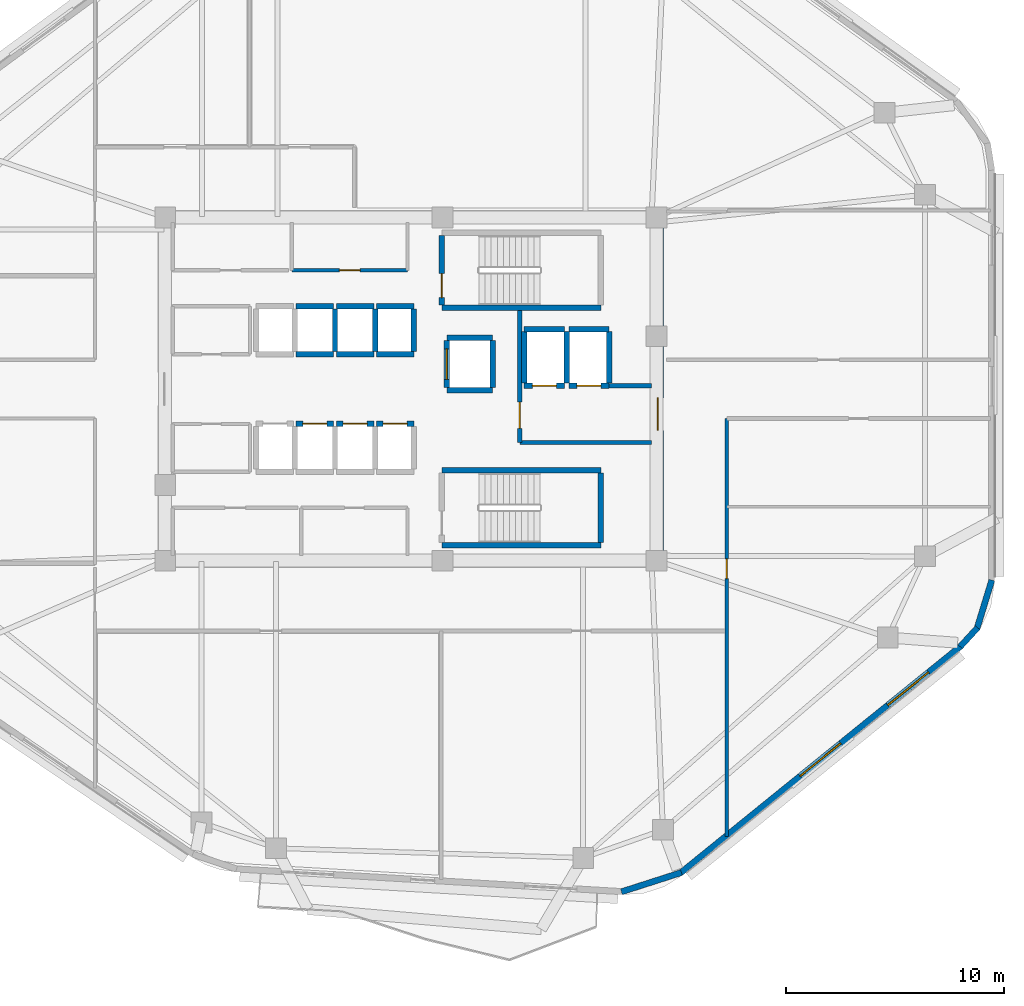
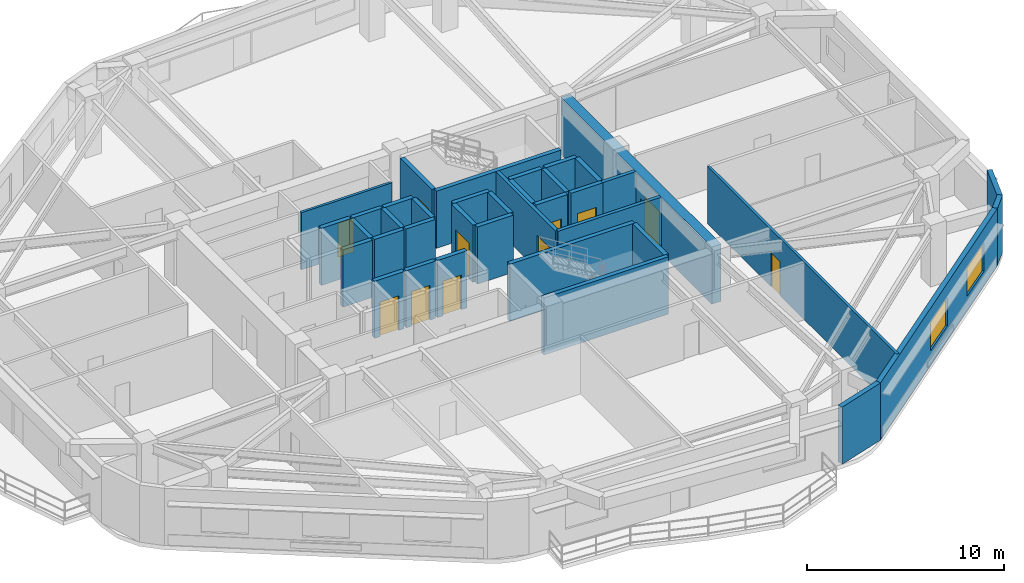
# One storey, part 4 of 9: 38 walls, 11 doors, 2 windows, 13 openings.
"""IFC4 building model written with IfcOpenShell, lengths in metres."""

from ifc_helpers import new_model, si_unit, direction, frame, frame_2d, origin, place, context, subcontext, project, spatial, rectangle, extrude, material, layer, layer_set, type_object, element, fill, save


model = new_model("IFC4")

# Units and contexts
model_context = context("Model", 3, precision=1e-05, world=origin(), true_north=direction((0.0, 1.0)))
body_context = subcontext(model_context, "Body", "Model", "MODEL_VIEW")
ifc_project = project(units=[si_unit("LENGTHUNIT", "METRE"), si_unit("AREAUNIT", "SQUARE_METRE"), si_unit("VOLUMEUNIT", "CUBIC_METRE"), si_unit("PLANEANGLEUNIT", "RADIAN"), si_unit("MASSUNIT", "GRAM", prefix="KILO")], contexts=[model_context])

# Site, building, storey
site_placement = place(None, origin())
site = spatial("IfcSite", under=ifc_project, at=site_placement, CompositionType="ELEMENT")
building_placement = place(site_placement, origin())
building = spatial("IfcBuilding", under=site, at=building_placement, Name="Zulverin Broadcast Headquarters", CompositionType="ELEMENT")
storey_placement = place(building_placement, frame((0.0, 0.0, 212.39990234375)))
storey = spatial("IfcBuildingStorey", under=building, at=storey_placement, Name="L54", CompositionType="ELEMENT", Elevation=212.39990234375)

# Wall, opening, door
ifc_material_1 = material(Name="Concrete C60/75", Category="concrete")
ifc_layer_1 = layer(ifc_material_1, 0.550048828125, Name="Concrete C60/75", Category="concrete")
ifc_layer_set_1 = layer_set([ifc_layer_1], Name="Concrete C60/75")
wall_type_1 = type_object("IfcWallType", Name="WL-CORE-550", PredefinedType="SHEAR", material=ifc_layer_set_1)
wall_1_placement = place(storey_placement, frame((48.324951171875, 17.550048828125, 0.0), z_axis=(0.0, 0.0, 1.0), x_axis=(0.0, 1.0, 0.0)))
wall_1 = element("IfcWall", 1, at=wall_1_placement, inside=storey, type_object=wall_type_1, Name="L54 Core East Shear Wall", PredefinedType="SHEAR", context=body_context, shape_type="SweptSolid", body=[
    extrude(rectangle(XDim=15.300048828125, YDim=0.550048828125, at=frame_2d((7.64990234375, 0.0))), origin(), (0.0, 0.0, 1.0), 3.5400390625),
])
opening_1_placement = place(wall_1_placement, frame((5.75, 0.0, 0.0)))
opening_1 = element("IfcOpeningElement", 2, at=opening_1_placement, cuts=wall_1, Name="Opening D-L54-CE1", PredefinedType="OPENING", context=body_context, shape_type="SweptSolid", body=[
    extrude(rectangle(XDim=1.5, YDim=2.14990234375, at=frame_2d((0.75, 1.074951171875))), frame((0.0, 0.284912109375, 0.0), z_axis=(0.0, -1.0, 0.0), x_axis=(1.0, 0.0, 0.0)), (0.0, 0.0, 1.0), 0.570068359375),
])
ifc_material_2 = material(Name="Fire-rated glazed steel frame", Category="steel")
door_type_1 = type_object("IfcDoorType", Name="DR-COR-1500", OperationType="DOUBLE_DOOR_SINGLE_SWING", PredefinedType="DOOR", material=ifc_material_2)
door_1_placement = place(opening_1_placement, origin())
door_1 = element("IfcDoor", 3, at=door_1_placement, inside=storey, type_object=door_type_1, Name="L54 Firefighting Lobby East Corridor Door", OperationType="DOUBLE_DOOR_SINGLE_SWING", OverallHeight=2.14990234375, OverallWidth=1.5, PredefinedType="DOOR", context=body_context, shape_type="SweptSolid", body=[
    extrude(rectangle(XDim=1.5, YDim=2.14990234375, at=frame_2d((0.75, 1.074951171875))), frame((0.0, 0.02490234375, 0.0), z_axis=(0.0, -1.0, 0.0), x_axis=(1.0, 0.0, 0.0)), (0.0, 0.0, 1.0), 0.050048828125),
])
fill(opening_1, door_1)

# Wall, openings, windows
ifc_material_3 = material(Name="Insulated pale-metal clad concrete spandrel C40/50", Category="concrete")
ifc_layer_2 = layer(ifc_material_3, 0.280029296875, Name="Insulated pale-metal clad concrete spandrel C40/50", Category="concrete")
ifc_layer_set_2 = layer_set([ifc_layer_2], Name="Insulated pale-metal clad concrete spandrel C40/50")
wall_type_2 = type_object("IfcWallType", Name="WL-EXT-280", PredefinedType="STANDARD", material=ifc_layer_set_2)
wall_2_placement = place(storey_placement, frame((49.372314453125, 2.98388671875, 0.0), z_axis=(0.0, 0.0, 1.0), x_axis=(0.777278899851, 0.629156190343, 0.0)))
wall_2 = element("IfcWall", 4, at=wall_2_placement, inside=storey, type_object=wall_type_2, Name="L54 Pale-Metal Clad Spandrel Wall 2", PredefinedType="STANDARD", context=body_context, shape_type="SweptSolid", body=[
    extrude(rectangle(XDim=16.5400390625, YDim=0.280029296875, at=frame_2d((8.27001953125, 0.0))), origin(), (0.0, 0.0, 1.0), 3.5400390625),
])
opening_2_placement = place(wall_2_placement, frame((7.070068359375, 0.0, 0.89990234375)))
opening_2 = element("IfcOpeningElement", 5, at=opening_2_placement, cuts=wall_2, Name="Opening W-L54-E21", PredefinedType="OPENING", context=body_context, shape_type="SweptSolid", body=[
    extrude(rectangle(XDim=2.39990234375, YDim=1.75, at=frame_2d((1.199951171875, 0.875))), frame((0.0, 0.14990234375, 0.0), z_axis=(0.0, -1.0, 0.0), x_axis=(1.0, 0.0, 0.0)), (0.0, 0.0, 1.0), 0.300048828125),
])
opening_3_placement = place(wall_2_placement, frame((12.25, 0.0, 0.89990234375)))
opening_3 = element("IfcOpeningElement", 6, at=opening_3_placement, cuts=wall_2, Name="Opening W-L54-E22", PredefinedType="OPENING", context=body_context, shape_type="SweptSolid", body=[
    extrude(rectangle(XDim=2.39990234375, YDim=1.75, at=frame_2d((1.199951171875, 0.875))), frame((0.0, 0.14990234375, 0.0), z_axis=(0.0, -1.0, 0.0), x_axis=(1.0, 0.0, 0.0)), (0.0, 0.0, 1.0), 0.300048828125),
])
ifc_material_4 = material(Name="Pale anodized aluminium frame with solar-control low-E double glazing", Category="aluminium")
window_type = type_object("IfcWindowType", Name="WIN-RIB-2400", PartitioningType="SINGLE_PANEL", PredefinedType="WINDOW", material=ifc_material_4)
window_1_placement = place(opening_2_placement, origin())
window_1 = element("IfcWindow", 7, at=window_1_placement, inside=storey, type_object=window_type, Name="L54 Ribbon Glazing Window 2 1", OverallHeight=1.75, OverallWidth=2.39990234375, PartitioningType="SINGLE_PANEL", PredefinedType="WINDOW", context=body_context, shape_type="SweptSolid", body=[
    extrude(rectangle(XDim=2.39990234375, YDim=1.75, at=frame_2d((1.199951171875, 0.875))), frame((0.0, 0.030029296875, 0.0), z_axis=(0.0, -1.0, 0.0), x_axis=(1.0, 0.0, 0.0)), (0.0, 0.0, 1.0), 0.06005859375),
])
fill(opening_2, window_1)
window_2_placement = place(opening_3_placement, origin())
window_2 = element("IfcWindow", 8, at=window_2_placement, inside=storey, type_object=window_type, Name="L54 Ribbon Glazing Window 2 2", OverallHeight=1.75, OverallWidth=2.39990234375, PartitioningType="SINGLE_PANEL", PredefinedType="WINDOW", context=body_context, shape_type="SweptSolid", body=[
    extrude(rectangle(XDim=2.39990234375, YDim=1.75, at=frame_2d((1.199951171875, 0.875))), frame((0.0, 0.030029296875, 0.0), z_axis=(0.0, -1.0, 0.0), x_axis=(1.0, 0.0, 0.0)), (0.0, 0.0, 1.0), 0.06005859375),
])
fill(opening_3, window_2)

# Walls
wall_3_placement = place(storey_placement, frame((46.666259765625, 2.124267578125, 0.0), z_axis=(0.0, 0.0, 1.0), x_axis=(0.952065470694, 0.305894327363, 0.0)))
element("IfcWall", 9, at=wall_3_placement, inside=storey, type_object=wall_type_2, Name="L54 Wind-Shaped Corner Spandrel Wall 1-1", PredefinedType="STANDARD", context=body_context, shape_type="SweptSolid", body=[
    extrude(rectangle(XDim=2.889892578125, YDim=0.280029296875, at=frame_2d((1.44482421875, 0.0))), origin(), (0.0, 0.0, 1.0), 3.5400390625),
])
wall_4_placement = place(storey_placement, frame((62.21337890625, 13.3759765625, 0.0), z_axis=(0.0, 0.0, 1.0), x_axis=(0.675790054291, 0.737094161232, 0.0)))
element("IfcWall", 10, at=wall_4_placement, inside=storey, type_object=wall_type_2, Name="L54 Wind-Shaped Corner Spandrel Wall 2-1", PredefinedType="STANDARD", context=body_context, shape_type="SweptSolid", body=[
    extrude(rectangle(XDim=1.182861328125, YDim=0.280029296875, at=frame_2d((0.59130859375, 0.0))), origin(), (0.0, 0.0, 1.0), 3.5400390625),
])
wall_5_placement = place(storey_placement, frame((62.98193359375, 14.194091796875, 0.0), z_axis=(0.0, 0.0, 1.0), x_axis=(0.292398811023, 0.956296468315, 0.0)))
element("IfcWall", 11, at=wall_5_placement, inside=storey, type_object=wall_type_2, Name="L54 Wind-Shaped Corner Spandrel Wall 2-2", PredefinedType="STANDARD", context=body_context, shape_type="SweptSolid", body=[
    extrude(rectangle(XDim=2.339599609375, YDim=0.280029296875, at=frame_2d((1.169921875, 0.0))), origin(), (0.0, 0.0, 1.0), 3.5400390625),
])

# Wall, opening, door
ifc_material_5 = material(Name="Concrete C40/50", Category="concrete")
ifc_layer_3 = layer(ifc_material_5, 0.199951171875, Name="Concrete C40/50", Category="concrete")
ifc_layer_set_3 = layer_set([ifc_layer_3], Name="Concrete C40/50")
wall_type_3 = type_object("IfcWallType", Name="WL-FFL-200", PredefinedType="SOLIDWALL", material=ifc_layer_set_3)
wall_6_placement = place(storey_placement, frame((42.0, 22.75, 0.0), z_axis=(0.0, 0.0, 1.0), x_axis=(0.0, 1.0, 0.0)))
wall_6 = element("IfcWall", 12, at=wall_6_placement, inside=storey, type_object=wall_type_3, Name="L54 Firefighting Lift Lobby West Wall", PredefinedType="SOLIDWALL", context=body_context, shape_type="SweptSolid", body=[
    extrude(rectangle(XDim=6.050048828125, YDim=0.199951171875, at=frame_2d((3.02490234375, 0.0))), origin(), (0.0, 0.0, 1.0), 3.5400390625),
])
opening_4_placement = place(wall_6_placement, frame((0.64990234375, 0.0, 0.0)))
opening_4 = element("IfcOpeningElement", 13, at=opening_4_placement, cuts=wall_6, Name="Opening D-L54-FFLW", PredefinedType="OPENING", context=body_context, shape_type="SweptSolid", body=[
    extrude(rectangle(XDim=1.199951171875, YDim=2.14990234375, at=frame_2d((0.60009765625, 1.074951171875))), frame((0.0, 0.10986328125, 0.0), z_axis=(0.0, -1.0, 0.0), x_axis=(1.0, 0.0, 0.0)), (0.0, 0.0, 1.0), 0.219970703125),
])
ifc_material_6 = material(Name="Fire-rated steel leaf and frame", Category="steel")
door_type_2 = type_object("IfcDoorType", Name="DR-FFL-1200", OperationType="SINGLE_SWING_RIGHT", PredefinedType="DOOR", material=ifc_material_6)
door_2_placement = place(opening_4_placement, origin())
door_2 = element("IfcDoor", 14, at=door_2_placement, inside=storey, type_object=door_type_2, Name="L54 Firefighting Lift Lobby Door", OperationType="SINGLE_SWING_RIGHT", OverallHeight=2.14990234375, OverallWidth=1.199951171875, PredefinedType="DOOR", context=body_context, shape_type="SweptSolid", body=[
    extrude(rectangle(XDim=1.199951171875, YDim=2.14990234375, at=frame_2d((0.60009765625, 1.074951171875))), frame((0.0, 0.02490234375, 0.0), z_axis=(0.0, -1.0, 0.0), x_axis=(1.0, 0.0, 0.0)), (0.0, 0.0, 1.0), 0.050048828125),
])
fill(opening_4, door_2)

# Walls
wall_7_placement = place(storey_placement, frame((42.0, 22.75, 0.0), z_axis=(0.0, 0.0, 1.0), x_axis=(1.0, 0.0, 0.0)))
element("IfcWall", 15, at=wall_7_placement, inside=storey, type_object=wall_type_3, Name="L54 Firefighting Lift Lobby South Wall", PredefinedType="SOLIDWALL", context=body_context, shape_type="SweptSolid", body=[
    extrude(rectangle(XDim=6.050048828125, YDim=0.199951171875, at=frame_2d((3.02490234375, 0.0))), origin(), (0.0, 0.0, 1.0), 3.5400390625),
])
wall_8_placement = place(storey_placement, frame((46.10009765625, 25.35009765625, 0.0), z_axis=(0.0, 0.0, 1.0), x_axis=(1.0, 0.0, 0.0)))
element("IfcWall", 16, at=wall_8_placement, inside=storey, type_object=wall_type_3, Name="L54 Firefighting Lift Lobby North Wall", PredefinedType="SOLIDWALL", context=body_context, shape_type="SweptSolid", body=[
    extrude(rectangle(XDim=1.949951171875, YDim=0.199951171875, at=frame_2d((0.97509765625, 0.0))), origin(), (0.0, 0.0, 1.0), 3.5400390625),
])

# Wall, opening, door
ifc_material_7 = material(Name="Fire-rated gypsum stud partition", Category="gypsum")
ifc_layer_4 = layer(ifc_material_7, 0.14990234375, Name="Fire-rated gypsum stud partition", Category="gypsum")
ifc_layer_set_4 = layer_set([ifc_layer_4], Name="Fire-rated gypsum stud partition")
wall_type_4 = type_object("IfcWallType", Name="WL-PART-150", PredefinedType="PARTITIONING", material=ifc_layer_set_4)
wall_9_placement = place(storey_placement, frame((31.5400390625, 30.64990234375, 0.0), z_axis=(0.0, 0.0, 1.0), x_axis=(1.0, 0.0, 0.0)))
wall_9 = element("IfcWall", 17, at=wall_9_placement, inside=storey, type_object=wall_type_4, Name="L54 Core Accessible WC Front Wall", PredefinedType="PARTITIONING", context=body_context, shape_type="SweptSolid", body=[
    extrude(rectangle(XDim=5.31005859375, YDim=0.14990234375, at=frame_2d((2.655029296875, 0.0))), origin(), (0.0, 0.0, 1.0), 3.5400390625),
])
opening_5_placement = place(wall_9_placement, frame((2.179931640625, 0.0, 0.0)))
opening_5 = element("IfcOpeningElement", 18, at=opening_5_placement, cuts=wall_9, Name="Opening D-L54-NC2", PredefinedType="OPENING", context=body_context, shape_type="SweptSolid", body=[
    extrude(rectangle(XDim=0.949951171875, YDim=2.10009765625, at=frame_2d((0.47509765625, 1.050048828125))), frame((0.0, 0.0849609375, 0.0), z_axis=(0.0, -1.0, 0.0), x_axis=(1.0, 0.0, 0.0)), (0.0, 0.0, 1.0), 0.169921875),
])
ifc_material_8 = material(Name="Fire-rated moisture-resistant laminate leaf", Category="wood")
door_type_3 = type_object("IfcDoorType", Name="DR-WC-950", OperationType="SINGLE_SWING_LEFT", PredefinedType="DOOR", material=ifc_material_8)
door_3_placement = place(opening_5_placement, origin())
door_3 = element("IfcDoor", 19, at=door_3_placement, inside=storey, type_object=door_type_3, Name="L54 Accessible WC Door", OperationType="SINGLE_SWING_RIGHT", OverallHeight=2.10009765625, OverallWidth=0.949951171875, PredefinedType="DOOR", context=body_context, shape_type="SweptSolid", body=[
    extrude(rectangle(XDim=0.949951171875, YDim=2.10009765625, at=frame_2d((0.47509765625, 1.050048828125))), frame((0.0, 0.02490234375, 0.0), z_axis=(0.0, -1.0, 0.0), x_axis=(1.0, 0.0, 0.0)), (0.0, 0.0, 1.0), 0.050048828125),
])
fill(opening_5, door_3)

wall_10_placement = place(storey_placement, frame((51.5, 4.666015625, 0.0), z_axis=(0.0, 0.0, 1.0), x_axis=(0.0, 1.0, 0.0)))
wall_10 = element("IfcWall", 20, at=wall_10_placement, inside=storey, type_object=wall_type_4, Name="L54 Gallery Partition Wall CG-01", PredefinedType="PARTITIONING", context=body_context, shape_type="SweptSolid", body=[
    extrude(rectangle(XDim=19.18408203125, YDim=0.14990234375, at=frame_2d((9.592041015625, 0.0))), origin(), (0.0, 0.0, 1.0), 3.5400390625),
])
opening_6_placement = place(wall_10_placement, frame((11.833984375, 0.0, 0.0)))
opening_6 = element("IfcOpeningElement", 21, at=opening_6_placement, cuts=wall_10, Name="Opening D-L54-09", PredefinedType="OPENING", context=body_context, shape_type="SweptSolid", body=[
    extrude(rectangle(XDim=0.89990234375, YDim=2.10009765625, at=frame_2d((0.449951171875, 1.050048828125))), frame((0.0, 0.0849609375, 0.0), z_axis=(0.0, -1.0, 0.0), x_axis=(1.0, 0.0, 0.0)), (0.0, 0.0, 1.0), 0.169921875),
])
ifc_material_9 = material(Name="Fire-rated hardwood veneer timber leaf", Category="wood")
door_type_4 = type_object("IfcDoorType", Name="DR-ROOM-900", OperationType="SINGLE_SWING_RIGHT", PredefinedType="DOOR", material=ifc_material_9)
door_4_placement = place(opening_6_placement, origin())
door_4 = element("IfcDoor", 22, at=door_4_placement, inside=storey, type_object=door_type_4, Name="L54 Tea Pantry Door", OperationType="SINGLE_SWING_LEFT", OverallHeight=2.10009765625, OverallWidth=0.89990234375, PredefinedType="DOOR", context=body_context, shape_type="SweptSolid", body=[
    extrude(rectangle(XDim=0.89990234375, YDim=2.10009765625, at=frame_2d((0.449951171875, 1.050048828125))), frame((0.0, 0.02490234375, 0.0), z_axis=(0.0, -1.0, 0.0), x_axis=(1.0, 0.0, 0.0)), (0.0, 0.0, 1.0), 0.050048828125),
])
fill(opening_6, door_4)

# Wall
ifc_material_10 = material(Name="Concrete C50/60", Category="concrete")
ifc_layer_5 = layer(ifc_material_10, 0.25, Name="Concrete C50/60", Category="concrete")
ifc_layer_set_5 = layer_set([ifc_layer_5], Name="Concrete C50/60")
wall_type_5 = type_object("IfcWallType", Name="WL-SHAFT-250", PredefinedType="SHEAR", material=ifc_layer_set_5)
wall_11_placement = place(storey_placement, frame((38.425048828125, 28.925048828125, 0.0), z_axis=(0.0, 0.0, 1.0), x_axis=(1.0, 0.0, 0.0)))
element("IfcWall", 23, at=wall_11_placement, inside=storey, type_object=wall_type_5, Name="L54 ST-1 Enclosure Wall S", PredefinedType="SHEAR", context=body_context, shape_type="SweptSolid", body=[
    extrude(rectangle(XDim=7.300048828125, YDim=0.25, at=frame_2d((3.64990234375, 0.0))), origin(), (0.0, 0.0, 1.0), 3.5400390625),
])

# Wall, opening, door
wall_12_placement = place(storey_placement, frame((38.425048828125, 29.050048828125, 0.0), z_axis=(0.0, 0.0, 1.0), x_axis=(0.0, 1.0, 0.0)))
wall_12 = element("IfcWall", 24, at=wall_12_placement, inside=storey, type_object=wall_type_5, Name="L54 ST-1 Enclosure Wall W", PredefinedType="SHEAR", context=body_context, shape_type="SweptSolid", body=[
    extrude(rectangle(XDim=3.199951171875, YDim=0.25, at=frame_2d((1.60009765625, 0.0))), origin(), (0.0, 0.0, 1.0), 3.5400390625),
])
opening_7_placement = place(wall_12_placement, frame((0.35009765625, 0.0, 0.0)))
opening_7 = element("IfcOpeningElement", 25, at=opening_7_placement, cuts=wall_12, Name="Opening D-L54-ST-1", PredefinedType="OPENING", context=body_context, shape_type="SweptSolid", body=[
    extrude(rectangle(XDim=1.10009765625, YDim=2.14990234375, at=frame_2d((0.550048828125, 1.074951171875))), frame((0.0, 0.135009765625, 0.0), z_axis=(0.0, -1.0, 0.0), x_axis=(1.0, 0.0, 0.0)), (0.0, 0.0, 1.0), 0.27001953125),
])
door_type_5 = type_object("IfcDoorType", Name="DR-STAIR-1100", OperationType="SINGLE_SWING_LEFT", PredefinedType="DOOR", material=ifc_material_6)
door_5_placement = place(opening_7_placement, origin())
door_5 = element("IfcDoor", 26, at=door_5_placement, inside=storey, type_object=door_type_5, Name="L54 Exit Stair ST-1 Fire Door", OperationType="SINGLE_SWING_LEFT", OverallHeight=2.14990234375, OverallWidth=1.10009765625, PredefinedType="DOOR", context=body_context, shape_type="SweptSolid", body=[
    extrude(rectangle(XDim=1.10009765625, YDim=2.14990234375, at=frame_2d((0.550048828125, 1.074951171875))), frame((0.0, 0.02490234375, 0.0), z_axis=(0.0, -1.0, 0.0), x_axis=(1.0, 0.0, 0.0)), (0.0, 0.0, 1.0), 0.050048828125),
])
fill(opening_7, door_5)

# Walls
for number, where, z_axis, x_axis, name in (
    (27, (38.425048828125, 18.02490234375, 0.0), (0.0, 0.0, 1.0), (1.0, 0.0, 0.0), "L54 ST-2 Enclosure Wall S"),
    (28, (38.425048828125, 21.47509765625, 0.0), (0.0, 0.0, 1.0), (1.0, 0.0, 0.0), "L54 ST-2 Enclosure Wall N"),
):
    element("IfcWall", number, at=place(storey_placement, frame(where, z_axis=z_axis, x_axis=x_axis)), inside=storey, type_object=wall_type_5, Name=name, PredefinedType="SHEAR", context=body_context, shape_type="SweptSolid", body=[
        extrude(rectangle(XDim=7.300048828125, YDim=0.25, at=frame_2d((3.64990234375, 0.0))), origin(), (0.0, 0.0, 1.0), 3.5400390625),
    ])
wall_13_placement = place(storey_placement, frame((45.72509765625, 18.14990234375, 0.0), z_axis=(0.0, 0.0, 1.0), x_axis=(0.0, 1.0, 0.0)))
element("IfcWall", 29, at=wall_13_placement, inside=storey, type_object=wall_type_5, Name="L54 ST-2 Enclosure Wall E", PredefinedType="SHEAR", context=body_context, shape_type="SweptSolid", body=[
    extrude(rectangle(XDim=3.2001953125, YDim=0.25, at=frame_2d((1.60009765625, 0.0))), origin(), (0.0, 0.0, 1.0), 3.5400390625),
])

# Wall, opening, door
wall_14_placement = place(storey_placement, frame((31.739990234375, 23.60009765625, 0.0), z_axis=(0.0, 0.0, 1.0), x_axis=(1.0, 0.0, 0.0)))
wall_14 = element("IfcWall", 30, at=wall_14_placement, inside=storey, type_object=wall_type_5, Name="L54 Lift PL-M2 Shaft Wall N", PredefinedType="SHEAR", context=body_context, shape_type="SweptSolid", body=[
    extrude(rectangle(XDim=1.719970703125, YDim=0.25, at=frame_2d((0.85986328125, 0.0))), origin(), (0.0, 0.0, 1.0), 3.5400390625),
])
opening_8_placement = place(wall_14_placement, frame((0.31005859375, 0.0, 0.0)))
opening_8 = element("IfcOpeningElement", 31, at=opening_8_placement, cuts=wall_14, Name="Opening LD-PL-M2-L54", PredefinedType="OPENING", context=body_context, shape_type="SweptSolid", body=[
    extrude(rectangle(XDim=1.10009765625, YDim=2.14990234375, at=frame_2d((0.550048828125, 1.074951171875))), frame((0.0, 0.135009765625, 0.0), z_axis=(0.0, -1.0, 0.0), x_axis=(1.0, 0.0, 0.0)), (0.0, 0.0, 1.0), 0.27001953125),
])
ifc_material_11 = material(Name="Brushed stainless steel landing", Category="steel")
door_type_6 = type_object("IfcDoorType", Name="LD-PASS-1100", OperationType="DOUBLE_DOOR_SLIDING", PredefinedType="DOOR", material=ifc_material_11)
door_6_placement = place(opening_8_placement, origin())
door_6 = element("IfcDoor", 32, at=door_6_placement, inside=storey, type_object=door_type_6, Name="L54 Lift PL-M2 Sliding Landing Door", OperationType="DOUBLE_DOOR_SLIDING", OverallHeight=2.14990234375, OverallWidth=1.10009765625, PredefinedType="DOOR", context=body_context, shape_type="SweptSolid", body=[
    extrude(rectangle(XDim=1.10009765625, YDim=2.14990234375, at=frame_2d((0.550048828125, 1.074951171875))), frame((0.0, 0.02490234375, 0.0), z_axis=(0.0, -1.0, 0.0), x_axis=(1.0, 0.0, 0.0)), (0.0, 0.0, 1.0), 0.050048828125),
])
fill(opening_8, door_6)

wall_15_placement = place(storey_placement, frame((33.580078125, 23.60009765625, 0.0), z_axis=(0.0, 0.0, 1.0), x_axis=(1.0, 0.0, 0.0)))
wall_15 = element("IfcWall", 33, at=wall_15_placement, inside=storey, type_object=wall_type_5, Name="L54 Lift PL-M3 Shaft Wall N", PredefinedType="SHEAR", context=body_context, shape_type="SweptSolid", body=[
    extrude(rectangle(XDim=1.719970703125, YDim=0.25, at=frame_2d((0.85986328125, 0.0))), origin(), (0.0, 0.0, 1.0), 3.5400390625),
])
opening_9_placement = place(wall_15_placement, frame((0.31005859375, 0.0, 0.0)))
opening_9 = element("IfcOpeningElement", 34, at=opening_9_placement, cuts=wall_15, Name="Opening LD-PL-M3-L54", PredefinedType="OPENING", context=body_context, shape_type="SweptSolid", body=[
    extrude(rectangle(XDim=1.10009765625, YDim=2.14990234375, at=frame_2d((0.550048828125, 1.074951171875))), frame((0.0, 0.135009765625, 0.0), z_axis=(0.0, -1.0, 0.0), x_axis=(1.0, 0.0, 0.0)), (0.0, 0.0, 1.0), 0.27001953125),
])
door_7_placement = place(opening_9_placement, origin())
door_7 = element("IfcDoor", 35, at=door_7_placement, inside=storey, type_object=door_type_6, Name="L54 Lift PL-M3 Sliding Landing Door", OperationType="DOUBLE_DOOR_SLIDING", OverallHeight=2.14990234375, OverallWidth=1.10009765625, PredefinedType="DOOR", context=body_context, shape_type="SweptSolid", body=[
    extrude(rectangle(XDim=1.10009765625, YDim=2.14990234375, at=frame_2d((0.550048828125, 1.074951171875))), frame((0.0, 0.02490234375, 0.0), z_axis=(0.0, -1.0, 0.0), x_axis=(1.0, 0.0, 0.0)), (0.0, 0.0, 1.0), 0.050048828125),
])
fill(opening_9, door_7)

wall_16_placement = place(storey_placement, frame((35.419921875, 23.60009765625, 0.0), z_axis=(0.0, 0.0, 1.0), x_axis=(1.0, 0.0, 0.0)))
wall_16 = element("IfcWall", 36, at=wall_16_placement, inside=storey, type_object=wall_type_5, Name="L54 Lift PL-M4 Shaft Wall N", PredefinedType="SHEAR", context=body_context, shape_type="SweptSolid", body=[
    extrude(rectangle(XDim=1.719970703125, YDim=0.25, at=frame_2d((0.85986328125, 0.0))), origin(), (0.0, 0.0, 1.0), 3.5400390625),
])
opening_10_placement = place(wall_16_placement, frame((0.31005859375, 0.0, 0.0)))
opening_10 = element("IfcOpeningElement", 37, at=opening_10_placement, cuts=wall_16, Name="Opening LD-PL-M4-L54", PredefinedType="OPENING", context=body_context, shape_type="SweptSolid", body=[
    extrude(rectangle(XDim=1.10009765625, YDim=2.14990234375, at=frame_2d((0.550048828125, 1.074951171875))), frame((0.0, 0.135009765625, 0.0), z_axis=(0.0, -1.0, 0.0), x_axis=(1.0, 0.0, 0.0)), (0.0, 0.0, 1.0), 0.27001953125),
])
door_8_placement = place(opening_10_placement, origin())
door_8 = element("IfcDoor", 38, at=door_8_placement, inside=storey, type_object=door_type_6, Name="L54 Lift PL-M4 Sliding Landing Door", OperationType="DOUBLE_DOOR_SLIDING", OverallHeight=2.14990234375, OverallWidth=1.10009765625, PredefinedType="DOOR", context=body_context, shape_type="SweptSolid", body=[
    extrude(rectangle(XDim=1.10009765625, YDim=2.14990234375, at=frame_2d((0.550048828125, 1.074951171875))), frame((0.0, 0.02490234375, 0.0), z_axis=(0.0, -1.0, 0.0), x_axis=(1.0, 0.0, 0.0)), (0.0, 0.0, 1.0), 0.050048828125),
])
fill(opening_10, door_8)

# Walls
for number, where, z_axis, x_axis, name in (
    (39, (31.739990234375, 26.800048828125, 0.0), (0.0, 0.0, 1.0), (1.0, 0.0, 0.0), "L54 Lift PL-H2 Shaft Wall S"),
    (40, (31.739990234375, 29.0, 0.0), (0.0, 0.0, 1.0), (1.0, 0.0, 0.0), "L54 Lift PL-H2 Shaft Wall N"),
):
    element("IfcWall", number, at=place(storey_placement, frame(where, z_axis=z_axis, x_axis=x_axis)), inside=storey, type_object=wall_type_5, Name=name, PredefinedType="SHEAR", context=body_context, shape_type="SweptSolid", body=[
        extrude(rectangle(XDim=1.719970703125, YDim=0.25, at=frame_2d((0.85986328125, 0.0))), origin(), (0.0, 0.0, 1.0), 3.5400390625),
    ])
wall_17_placement = place(storey_placement, frame((33.52001953125, 26.919921875, 0.0), z_axis=(0.0, 0.0, 1.0), x_axis=(0.0, 1.0, 0.0)))
element("IfcWall", 41, at=wall_17_placement, inside=storey, type_object=wall_type_5, Name="L54 Lift PL-H2 Shaft Wall E", PredefinedType="SHEAR", context=body_context, shape_type="SweptSolid", body=[
    extrude(rectangle(XDim=1.9599609375, YDim=0.25, at=frame_2d((0.97998046875, 0.0))), origin(), (0.0, 0.0, 1.0), 3.5400390625),
])
for number, where, z_axis, x_axis, name in (
    (42, (33.580078125, 26.800048828125, 0.0), (0.0, 0.0, 1.0), (1.0, 0.0, 0.0), "L54 Lift PL-H3 Shaft Wall S"),
    (43, (33.580078125, 29.0, 0.0), (0.0, 0.0, 1.0), (1.0, 0.0, 0.0), "L54 Lift PL-H3 Shaft Wall N"),
):
    element("IfcWall", number, at=place(storey_placement, frame(where, z_axis=z_axis, x_axis=x_axis)), inside=storey, type_object=wall_type_5, Name=name, PredefinedType="SHEAR", context=body_context, shape_type="SweptSolid", body=[
        extrude(rectangle(XDim=1.719970703125, YDim=0.25, at=frame_2d((0.85986328125, 0.0))), origin(), (0.0, 0.0, 1.0), 3.5400390625),
    ])
wall_18_placement = place(storey_placement, frame((35.360107421875, 26.919921875, 0.0), z_axis=(0.0, 0.0, 1.0), x_axis=(0.0, 1.0, 0.0)))
element("IfcWall", 44, at=wall_18_placement, inside=storey, type_object=wall_type_5, Name="L54 Lift PL-H3 Shaft Wall E", PredefinedType="SHEAR", context=body_context, shape_type="SweptSolid", body=[
    extrude(rectangle(XDim=1.9599609375, YDim=0.25, at=frame_2d((0.97998046875, 0.0))), origin(), (0.0, 0.0, 1.0), 3.5400390625),
])
for number, where, z_axis, x_axis, name in (
    (45, (35.419921875, 26.800048828125, 0.0), (0.0, 0.0, 1.0), (1.0, 0.0, 0.0), "L54 Lift PL-H4 Shaft Wall S"),
    (46, (35.419921875, 29.0, 0.0), (0.0, 0.0, 1.0), (1.0, 0.0, 0.0), "L54 Lift PL-H4 Shaft Wall N"),
):
    element("IfcWall", number, at=place(storey_placement, frame(where, z_axis=z_axis, x_axis=x_axis)), inside=storey, type_object=wall_type_5, Name=name, PredefinedType="SHEAR", context=body_context, shape_type="SweptSolid", body=[
        extrude(rectangle(XDim=1.719970703125, YDim=0.25, at=frame_2d((0.85986328125, 0.0))), origin(), (0.0, 0.0, 1.0), 3.5400390625),
    ])
wall_19_placement = place(storey_placement, frame((37.139892578125, 26.919921875, 0.0), z_axis=(0.0, 0.0, 1.0), x_axis=(0.0, 1.0, 0.0)))
element("IfcWall", 47, at=wall_19_placement, inside=storey, type_object=wall_type_5, Name="L54 Lift PL-H4 Shaft Wall E", PredefinedType="SHEAR", context=body_context, shape_type="SweptSolid", body=[
    extrude(rectangle(XDim=1.9599609375, YDim=0.25, at=frame_2d((0.97998046875, 0.0))), origin(), (0.0, 0.0, 1.0), 3.5400390625),
])

# Wall, opening, door
wall_20_placement = place(storey_placement, frame((42.199951171875, 25.35009765625, 0.0), z_axis=(0.0, 0.0, 1.0), x_axis=(1.0, 0.0, 0.0)))
wall_20 = element("IfcWall", 48, at=wall_20_placement, inside=storey, type_object=wall_type_5, Name="L54 Lift FFL-1 Shaft Wall S", PredefinedType="SHEAR", context=body_context, shape_type="SweptSolid", body=[
    extrude(rectangle(XDim=1.85009765625, YDim=0.25, at=frame_2d((0.925048828125, 0.0))), origin(), (0.0, 0.0, 1.0), 3.5400390625),
])
opening_11_placement = place(wall_20_placement, frame((0.375, 0.0, 0.0)))
opening_11 = element("IfcOpeningElement", 49, at=opening_11_placement, cuts=wall_20, Name="Opening LD-FFL-1-L54", PredefinedType="OPENING", context=body_context, shape_type="SweptSolid", body=[
    extrude(rectangle(XDim=1.10009765625, YDim=2.14990234375, at=frame_2d((0.550048828125, 1.074951171875))), frame((0.0, 0.135009765625, 0.0), z_axis=(0.0, -1.0, 0.0), x_axis=(1.0, 0.0, 0.0)), (0.0, 0.0, 1.0), 0.27001953125),
])
ifc_material_12 = material(Name="Fire-rated stainless landing door", Category="steel")
door_type_7 = type_object("IfcDoorType", Name="LD-FFL-1100", OperationType="DOUBLE_DOOR_SLIDING", PredefinedType="DOOR", material=ifc_material_12)
door_9_placement = place(opening_11_placement, origin())
door_9 = element("IfcDoor", 50, at=door_9_placement, inside=storey, type_object=door_type_7, Name="L54 Lift FFL-1 Sliding Landing Door", OperationType="DOUBLE_DOOR_SLIDING", OverallHeight=2.14990234375, OverallWidth=1.10009765625, PredefinedType="DOOR", context=body_context, shape_type="SweptSolid", body=[
    extrude(rectangle(XDim=1.10009765625, YDim=2.14990234375, at=frame_2d((0.550048828125, 1.074951171875))), frame((0.0, 0.02490234375, 0.0), z_axis=(0.0, -1.0, 0.0), x_axis=(1.0, 0.0, 0.0)), (0.0, 0.0, 1.0), 0.050048828125),
])
fill(opening_11, door_9)

# Walls
wall_21_placement = place(storey_placement, frame((42.199951171875, 27.949951171875, 0.0), z_axis=(0.0, 0.0, 1.0), x_axis=(1.0, 0.0, 0.0)))
element("IfcWall", 51, at=wall_21_placement, inside=storey, type_object=wall_type_5, Name="L54 Lift FFL-1 Shaft Wall N", PredefinedType="SHEAR", context=body_context, shape_type="SweptSolid", body=[
    extrude(rectangle(XDim=1.85009765625, YDim=0.25, at=frame_2d((0.925048828125, 0.0))), origin(), (0.0, 0.0, 1.0), 3.5400390625),
])
for number, where, z_axis, x_axis, name in (
    (52, (42.199951171875, 25.469970703125, 0.0), (0.0, 0.0, 1.0), (0.0, 1.0, 0.0), "L54 Lift FFL-1 Shaft Wall W"),
    (53, (44.14990234375, 25.469970703125, 0.0), (0.0, 0.0, 1.0), (0.0, 1.0, 0.0), "L54 Lift FFL-1 Shaft Wall E"),
):
    element("IfcWall", number, at=place(storey_placement, frame(where, z_axis=z_axis, x_axis=x_axis)), inside=storey, type_object=wall_type_5, Name=name, PredefinedType="SHEAR", context=body_context, shape_type="SweptSolid", body=[
        extrude(rectangle(XDim=2.360107421875, YDim=0.25, at=frame_2d((1.18017578125, 0.0))), origin(), (0.0, 0.0, 1.0), 3.5400390625),
    ])

# Wall, opening, door
wall_22_placement = place(storey_placement, frame((44.25, 25.35009765625, 0.0), z_axis=(0.0, 0.0, 1.0), x_axis=(1.0, 0.0, 0.0)))
wall_22 = element("IfcWall", 54, at=wall_22_placement, inside=storey, type_object=wall_type_5, Name="L54 Lift FFL-2 Shaft Wall S", PredefinedType="SHEAR", context=body_context, shape_type="SweptSolid", body=[
    extrude(rectangle(XDim=1.85009765625, YDim=0.25, at=frame_2d((0.925048828125, 0.0))), origin(), (0.0, 0.0, 1.0), 3.5400390625),
])
opening_12_placement = place(wall_22_placement, frame((0.375, 0.0, 0.0)))
opening_12 = element("IfcOpeningElement", 55, at=opening_12_placement, cuts=wall_22, Name="Opening LD-FFL-2-L54", PredefinedType="OPENING", context=body_context, shape_type="SweptSolid", body=[
    extrude(rectangle(XDim=1.10009765625, YDim=2.14990234375, at=frame_2d((0.550048828125, 1.074951171875))), frame((0.0, 0.135009765625, 0.0), z_axis=(0.0, -1.0, 0.0), x_axis=(1.0, 0.0, 0.0)), (0.0, 0.0, 1.0), 0.27001953125),
])
door_10_placement = place(opening_12_placement, origin())
door_10 = element("IfcDoor", 56, at=door_10_placement, inside=storey, type_object=door_type_7, Name="L54 Lift FFL-2 Sliding Landing Door", OperationType="DOUBLE_DOOR_SLIDING", OverallHeight=2.14990234375, OverallWidth=1.10009765625, PredefinedType="DOOR", context=body_context, shape_type="SweptSolid", body=[
    extrude(rectangle(XDim=1.10009765625, YDim=2.14990234375, at=frame_2d((0.550048828125, 1.074951171875))), frame((0.0, 0.02490234375, 0.0), z_axis=(0.0, -1.0, 0.0), x_axis=(1.0, 0.0, 0.0)), (0.0, 0.0, 1.0), 0.050048828125),
])
fill(opening_12, door_10)

# Walls
wall_23_placement = place(storey_placement, frame((44.25, 27.949951171875, 0.0), z_axis=(0.0, 0.0, 1.0), x_axis=(1.0, 0.0, 0.0)))
element("IfcWall", 57, at=wall_23_placement, inside=storey, type_object=wall_type_5, Name="L54 Lift FFL-2 Shaft Wall N", PredefinedType="SHEAR", context=body_context, shape_type="SweptSolid", body=[
    extrude(rectangle(XDim=1.85009765625, YDim=0.25, at=frame_2d((0.925048828125, 0.0))), origin(), (0.0, 0.0, 1.0), 3.5400390625),
])
wall_24_placement = place(storey_placement, frame((46.10009765625, 25.469970703125, 0.0), z_axis=(0.0, 0.0, 1.0), x_axis=(0.0, 1.0, 0.0)))
element("IfcWall", 58, at=wall_24_placement, inside=storey, type_object=wall_type_5, Name="L54 Lift FFL-2 Shaft Wall E", PredefinedType="SHEAR", context=body_context, shape_type="SweptSolid", body=[
    extrude(rectangle(XDim=2.360107421875, YDim=0.25, at=frame_2d((1.18017578125, 0.0))), origin(), (0.0, 0.0, 1.0), 3.5400390625),
])
for number, where, z_axis, x_axis, name in (
    (59, (38.64990234375, 25.14990234375, 0.0), (0.0, 0.0, 1.0), (1.0, 0.0, 0.0), "L54 Lift SVL-1 Shaft Wall S"),
    (60, (38.64990234375, 27.550048828125, 0.0), (0.0, 0.0, 1.0), (1.0, 0.0, 0.0), "L54 Lift SVL-1 Shaft Wall N"),
):
    element("IfcWall", number, at=place(storey_placement, frame(where, z_axis=z_axis, x_axis=x_axis)), inside=storey, type_object=wall_type_5, Name=name, PredefinedType="SHEAR", context=body_context, shape_type="SweptSolid", body=[
        extrude(rectangle(XDim=2.10009765625, YDim=0.25, at=frame_2d((1.050048828125, 0.0))), origin(), (0.0, 0.0, 1.0), 3.5400390625),
    ])

# Wall, opening, door
wall_25_placement = place(storey_placement, frame((38.64990234375, 25.27001953125, 0.0), z_axis=(0.0, 0.0, 1.0), x_axis=(0.0, 1.0, 0.0)))
wall_25 = element("IfcWall", 61, at=wall_25_placement, inside=storey, type_object=wall_type_5, Name="L54 Lift SVL-1 Shaft Wall W", PredefinedType="SHEAR", context=body_context, shape_type="SweptSolid", body=[
    extrude(rectangle(XDim=2.159912109375, YDim=0.25, at=frame_2d((1.080078125, 0.0))), origin(), (0.0, 0.0, 1.0), 3.5400390625),
])
opening_13_placement = place(wall_25_placement, frame((0.3798828125, 0.0, 0.0)))
opening_13 = element("IfcOpeningElement", 62, at=opening_13_placement, cuts=wall_25, Name="Opening LD-SVL-1-L54", PredefinedType="OPENING", context=body_context, shape_type="SweptSolid", body=[
    extrude(rectangle(XDim=1.39990234375, YDim=2.199951171875, at=frame_2d((0.699951171875, 1.10009765625))), frame((0.0, 0.135009765625, 0.0), z_axis=(0.0, -1.0, 0.0), x_axis=(1.0, 0.0, 0.0)), (0.0, 0.0, 1.0), 0.27001953125),
])
ifc_material_13 = material(Name="Heavy-duty stainless landing door", Category="steel")
door_type_8 = type_object("IfcDoorType", Name="LD-GOODS-1400", OperationType="DOUBLE_DOOR_SLIDING", PredefinedType="DOOR", material=ifc_material_13)
door_11_placement = place(opening_13_placement, origin())
door_11 = element("IfcDoor", 63, at=door_11_placement, inside=storey, type_object=door_type_8, Name="L54 Lift SVL-1 Sliding Landing Door", OperationType="DOUBLE_DOOR_SLIDING", OverallHeight=2.199951171875, OverallWidth=1.39990234375, PredefinedType="DOOR", context=body_context, shape_type="SweptSolid", body=[
    extrude(rectangle(XDim=1.39990234375, YDim=2.199951171875, at=frame_2d((0.699951171875, 1.10009765625))), frame((0.0, 0.02490234375, 0.0), z_axis=(0.0, -1.0, 0.0), x_axis=(1.0, 0.0, 0.0)), (0.0, 0.0, 1.0), 0.050048828125),
])
fill(opening_13, door_11)

# Wall
wall_26_placement = place(storey_placement, frame((40.75, 25.27001953125, 0.0), z_axis=(0.0, 0.0, 1.0), x_axis=(0.0, 1.0, 0.0)))
element("IfcWall", 64, at=wall_26_placement, inside=storey, type_object=wall_type_5, Name="L54 Lift SVL-1 Shaft Wall E", PredefinedType="SHEAR", context=body_context, shape_type="SweptSolid", body=[
    extrude(rectangle(XDim=2.159912109375, YDim=0.25, at=frame_2d((1.080078125, 0.0))), origin(), (0.0, 0.0, 1.0), 3.5400390625),
])

save(model, "model.ifc")
